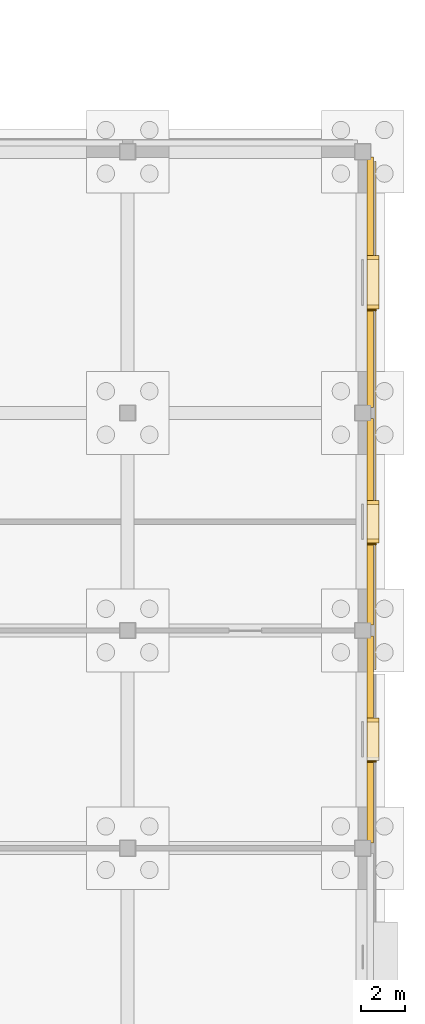
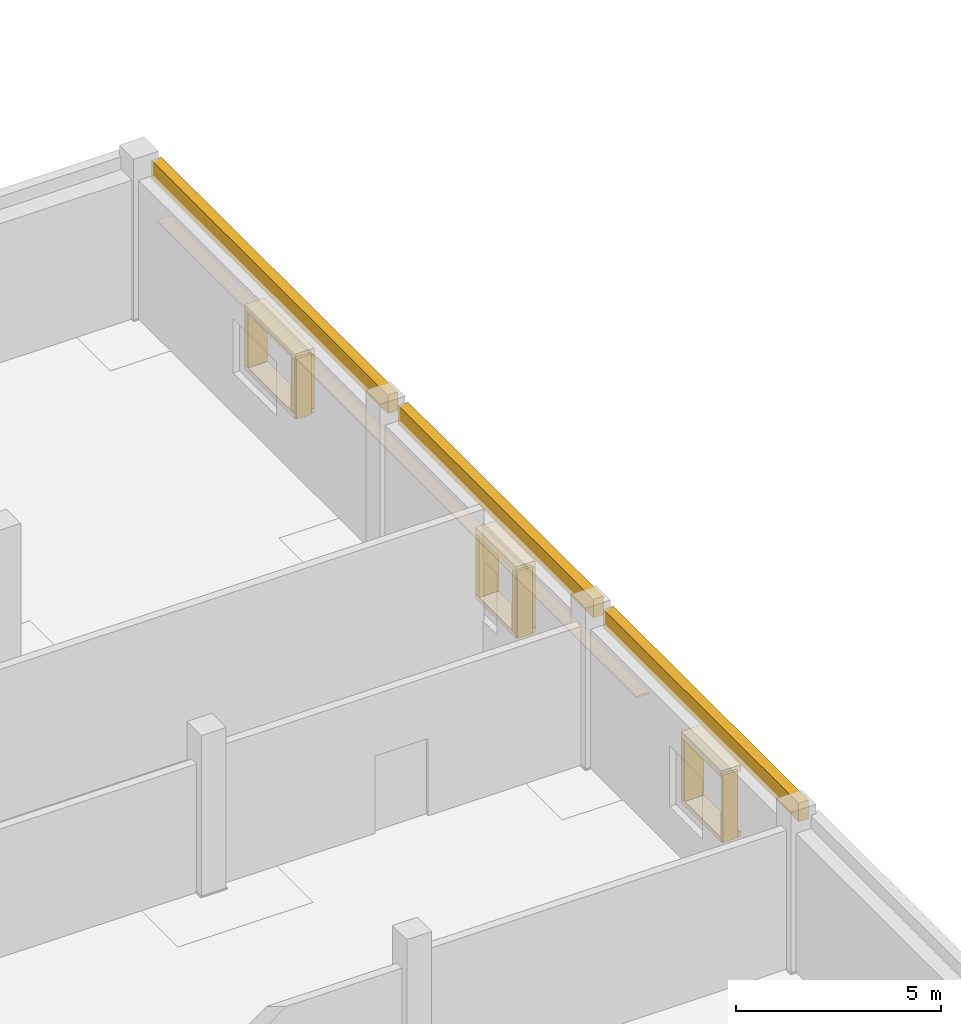
# One storey, part 72 of 73: 15 coverings, 3 shading devices.
"""IFC4 building model written with IfcOpenShell, lengths in metres."""

from ifc_helpers import new_model, si_unit, direction, frame, origin, origin_2d, place, context, subcontext, project, spatial, rectangle, extrude, material, layer, layer_set, type_object, element, save


model = new_model("IFC4")

# Units and contexts
model_context = context("Model", 3, precision=1e-05, world=origin(), true_north=direction((0.0, 1.0)))
body_context = subcontext(model_context, "Body", "Model", "MODEL_VIEW")
ifc_project = project(units=[si_unit("LENGTHUNIT", "METRE"), si_unit("AREAUNIT", "SQUARE_METRE"), si_unit("VOLUMEUNIT", "CUBIC_METRE"), si_unit("PLANEANGLEUNIT", "RADIAN"), si_unit("MASSUNIT", "GRAM", prefix="KILO")], contexts=[model_context])

# Site, building, storey
site_placement = place(None, origin())
site = spatial("IfcSite", under=ifc_project, at=site_placement, CompositionType="ELEMENT")
building_placement = place(site_placement, origin())
building = spatial("IfcBuilding", under=site, at=building_placement, Name="Tasgan Crest Museum", CompositionType="ELEMENT")
storey_placement = place(building_placement, origin())
storey = spatial("IfcBuildingStorey", under=building, at=storey_placement, Name="L00", CompositionType="ELEMENT", Elevation=0.0)

# Coverings
ifc_material_1 = material(Name="Honed Rose-Red Mongolian Granite", Category="masonry")
ifc_layer_1 = layer(ifc_material_1, 0.0400390625, Name="COV-GRANITE-ROSE")
ifc_layer_set_1 = layer_set([ifc_layer_1], Name="Honed Rose-Red Mongolian Granite")
covering_type_1 = type_object("IfcCoveringType", Name="COV-GRANITE-ROSE", PredefinedType="CLADDING", material=ifc_layer_set_1)
for number, where, z_axis, x_axis, name in (
    (1, (162.485107421875, 35.889892578125, 1.2001953125), (0.0, 0.0, 1.0), (0.0, 1.0, 0.0), "Deep window reveal jamb L00-010"),
    (2, (162.485107421875, 44.110107421875, 1.2001953125), (0.0, 0.0, 1.0), (0.0, 1.0, 0.0), "Deep window reveal jamb L00-011"),
    (3, (162.485107421875, 45.889892578125, 1.2001953125), (0.0, 0.0, 1.0), (0.0, 1.0, 0.0), "Deep window reveal jamb L00-011"),
):
    element("IfcCovering", number, at=place(storey_placement, frame(where, z_axis=z_axis, x_axis=x_axis)), inside=storey, type_object=covering_type_1, Name=name, PredefinedType="CLADDING", context=body_context, shape_type="SweptSolid", body=[
        extrude(rectangle(XDim=0.179931640625, YDim=0.550048828125, at=origin_2d()), origin(), (0.0, 0.0, 1.0), 1.800048828125),
    ])
for number, where, z_axis, x_axis, name in (
    (4, (162.485107421875, 54.860107421875, 1.199951171875), (0.0, 0.0, 1.0), (0.0, 1.0, 0.0), "Deep window reveal jamb L00-012"),
    (5, (162.485107421875, 57.139892578125, 1.199951171875), (0.0, 0.0, 1.0), (0.0, 1.0, 0.0), "Deep window reveal jamb L00-012"),
):
    element("IfcCovering", number, at=place(storey_placement, frame(where, z_axis=z_axis, x_axis=x_axis)), inside=storey, type_object=covering_type_1, Name=name, PredefinedType="CLADDING", context=body_context, shape_type="SweptSolid", body=[
        extrude(rectangle(XDim=0.179931640625, YDim=0.550048828125, at=origin_2d()), origin(), (0.0, 0.0, 1.0), 1.60009765625),
    ])
ifc_material_2 = material(Name="Honed Buff Limestone", Category="masonry")
ifc_layer_2 = layer(ifc_material_2, 0.044921875, Name="COV-LIMESTONE-BUFF")
ifc_layer_set_2 = layer_set([ifc_layer_2], Name="Honed Buff Limestone")
covering_type_2 = type_object("IfcCoveringType", Name="COV-LIMESTONE-BUFF", PredefinedType="CLADDING", material=ifc_layer_set_2)
covering_1_placement = place(storey_placement, frame((162.429931640625, 49.875, 2.7998046875), z_axis=(0.0, 0.0, 1.0), x_axis=(0.0, 1.0, 0.0)))
element("IfcCovering", 6, at=covering_1_placement, inside=storey, type_object=covering_type_2, Name="Hillside plinth stone coping E-MID", PredefinedType="CLADDING", context=body_context, shape_type="SweptSolid", body=[
    extrude(rectangle(XDim=23.35009765625, YDim=0.3798828125, at=origin_2d()), origin(), (0.0, 0.0, 1.0), 0.050048828125),
])
covering_2_placement = place(storey_placement, frame((162.35009765625, 35.0, 3.9599609375), z_axis=(0.0, 0.0, 1.0), x_axis=(0.0, 1.0, 0.0)))
element("IfcCovering", 7, at=covering_2_placement, inside=storey, type_object=covering_type_2, Name="Stone frieze cladding L00", PredefinedType="CLADDING", context=body_context, shape_type="SweptSolid", body=[
    extrude(rectangle(XDim=9.510009765625, YDim=0.280029296875, at=origin_2d()), origin(), (0.0, 0.0, 1.0), 0.550048828125),
])
covering_3_placement = place(storey_placement, frame((162.485107421875, 35.0, 3.0), z_axis=(0.0, 0.0, 1.0), x_axis=(0.0, 1.0, 0.0)))
element("IfcCovering", 8, at=covering_3_placement, inside=storey, type_object=covering_type_2, Name="Deep window hood L00-010", PredefinedType="CLADDING", context=body_context, shape_type="SweptSolid", body=[
    extrude(rectangle(XDim=1.9599609375, YDim=0.550048828125, at=origin_2d()), origin(), (0.0, 0.0, 1.0), 0.179931640625),
])
covering_4_placement = place(storey_placement, frame((162.485107421875, 35.0, 1.06005859375), z_axis=(0.0, 0.0, 1.0), x_axis=(0.0, 1.0, 0.0)))
element("IfcCovering", 9, at=covering_4_placement, inside=storey, type_object=covering_type_2, Name="Deep window sill L00-010", PredefinedType="CLADDING", context=body_context, shape_type="SweptSolid", body=[
    extrude(rectangle(XDim=1.9599609375, YDim=0.550048828125, at=origin_2d()), origin(), (0.0, 0.0, 1.0), 0.139892578125),
])
covering_5_placement = place(storey_placement, frame((162.35009765625, 45.0, 3.9599609375), z_axis=(0.0, 0.0, 1.0), x_axis=(0.0, 1.0, 0.0)))
element("IfcCovering", 10, at=covering_5_placement, inside=storey, type_object=covering_type_2, Name="Stone frieze cladding L00", PredefinedType="CLADDING", context=body_context, shape_type="SweptSolid", body=[
    extrude(rectangle(XDim=9.510009765625, YDim=0.280029296875, at=origin_2d()), origin(), (0.0, 0.0, 1.0), 0.550048828125),
])
covering_6_placement = place(storey_placement, frame((162.485107421875, 45.0, 3.0), z_axis=(0.0, 0.0, 1.0), x_axis=(0.0, 1.0, 0.0)))
element("IfcCovering", 11, at=covering_6_placement, inside=storey, type_object=covering_type_2, Name="Deep window hood L00-011", PredefinedType="CLADDING", context=body_context, shape_type="SweptSolid", body=[
    extrude(rectangle(XDim=1.9599609375, YDim=0.550048828125, at=origin_2d()), origin(), (0.0, 0.0, 1.0), 0.179931640625),
])
covering_7_placement = place(storey_placement, frame((162.485107421875, 45.0, 1.06005859375), z_axis=(0.0, 0.0, 1.0), x_axis=(0.0, 1.0, 0.0)))
element("IfcCovering", 12, at=covering_7_placement, inside=storey, type_object=covering_type_2, Name="Deep window sill L00-011", PredefinedType="CLADDING", context=body_context, shape_type="SweptSolid", body=[
    extrude(rectangle(XDim=1.9599609375, YDim=0.550048828125, at=origin_2d()), origin(), (0.0, 0.0, 1.0), 0.139892578125),
])
covering_8_placement = place(storey_placement, frame((162.35009765625, 56.0, 3.9599609375), z_axis=(0.0, 0.0, 1.0), x_axis=(0.0, 1.0, 0.0)))
element("IfcCovering", 13, at=covering_8_placement, inside=storey, type_object=covering_type_2, Name="Stone frieze cladding L00", PredefinedType="CLADDING", context=body_context, shape_type="SweptSolid", body=[
    extrude(rectangle(XDim=11.510009765625, YDim=0.280029296875, at=origin_2d()), origin(), (0.0, 0.0, 1.0), 0.550048828125),
])
covering_9_placement = place(storey_placement, frame((162.485107421875, 56.0, 2.7998046875), z_axis=(0.0, 0.0, 1.0), x_axis=(0.0, 1.0, 0.0)))
element("IfcCovering", 14, at=covering_9_placement, inside=storey, type_object=covering_type_2, Name="Deep window hood L00-012", PredefinedType="CLADDING", context=body_context, shape_type="SweptSolid", body=[
    extrude(rectangle(XDim=2.4599609375, YDim=0.550048828125, at=origin_2d()), origin(), (0.0, 0.0, 1.0), 0.179931640625),
])
covering_10_placement = place(storey_placement, frame((162.485107421875, 56.0, 1.06005859375), z_axis=(0.0, 0.0, 1.0), x_axis=(0.0, 1.0, 0.0)))
element("IfcCovering", 15, at=covering_10_placement, inside=storey, type_object=covering_type_2, Name="Deep window sill L00-012", PredefinedType="CLADDING", context=body_context, shape_type="SweptSolid", body=[
    extrude(rectangle(XDim=2.4599609375, YDim=0.550048828125, at=origin_2d()), origin(), (0.0, 0.0, 1.0), 0.139892578125),
])

# Shading devices
ifc_material_3 = material(Name="Anodised Bronze Aluminium", Category="aluminium")
shading_device_type = type_object("IfcShadingDeviceType", Name="SH-FIN-V400", PredefinedType="JALOUSIE", material=ifc_material_3)
for number, where, z_axis, x_axis, name in (
    (16, (162.419921875, 33.97998046875, 1.10009765625), (0.0, 0.0, 1.0), (0.0, 1.0, 0.0), "Solar shading fin L00-010"),
    (17, (162.419921875, 43.97998046875, 1.10009765625), (0.0, 0.0, 1.0), (0.0, 1.0, 0.0), "Solar shading fin L00-011"),
):
    element("IfcShadingDevice", number, at=place(storey_placement, frame(where, z_axis=z_axis, x_axis=x_axis)), inside=storey, type_object=shading_device_type, Name=name, PredefinedType="JALOUSIE", context=body_context, shape_type="SweptSolid", body=[
        extrude(rectangle(XDim=0.080078125, YDim=0.419921875, at=origin_2d()), origin(), (0.0, 0.0, 1.0), 2.0),
    ])
shading_device_placement = place(storey_placement, frame((162.419921875, 54.72998046875, 1.10009765625), z_axis=(0.0, 0.0, 1.0), x_axis=(0.0, 1.0, 0.0)))
element("IfcShadingDevice", 18, at=shading_device_placement, inside=storey, type_object=shading_device_type, Name="Solar shading fin L00-012", PredefinedType="JALOUSIE", context=body_context, shape_type="SweptSolid", body=[
    extrude(rectangle(XDim=0.080078125, YDim=0.419921875, at=origin_2d()), origin(), (0.0, 0.0, 1.0), 1.800048828125),
])

save(model, "model.ifc")
